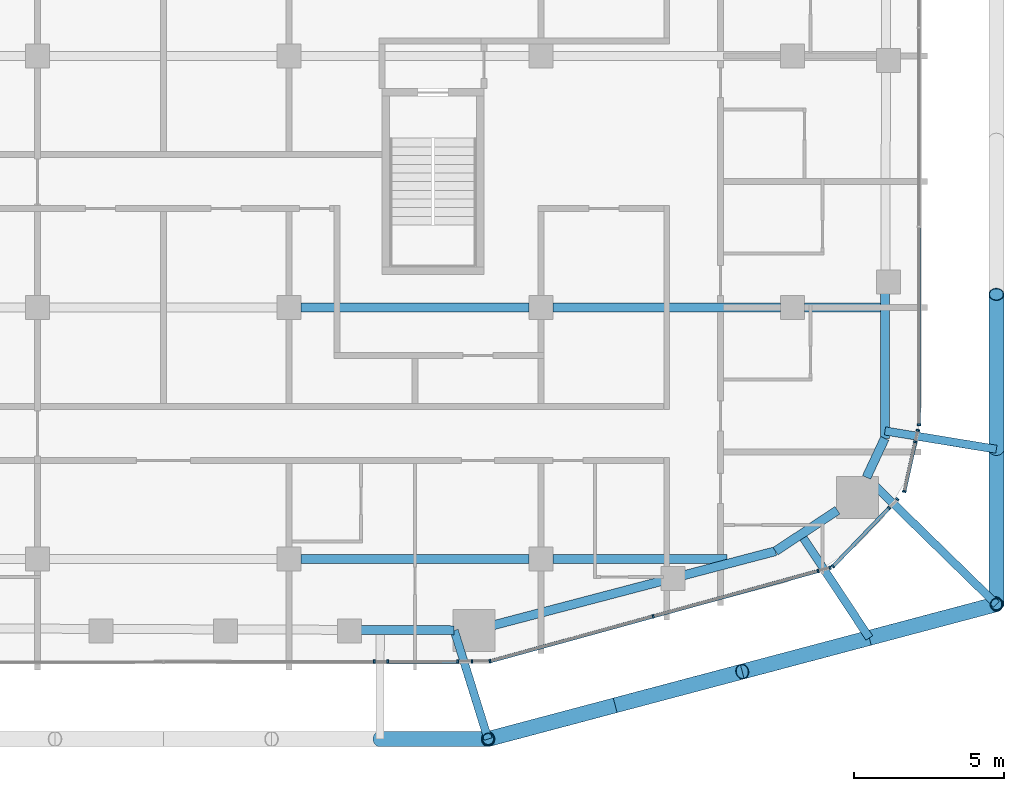
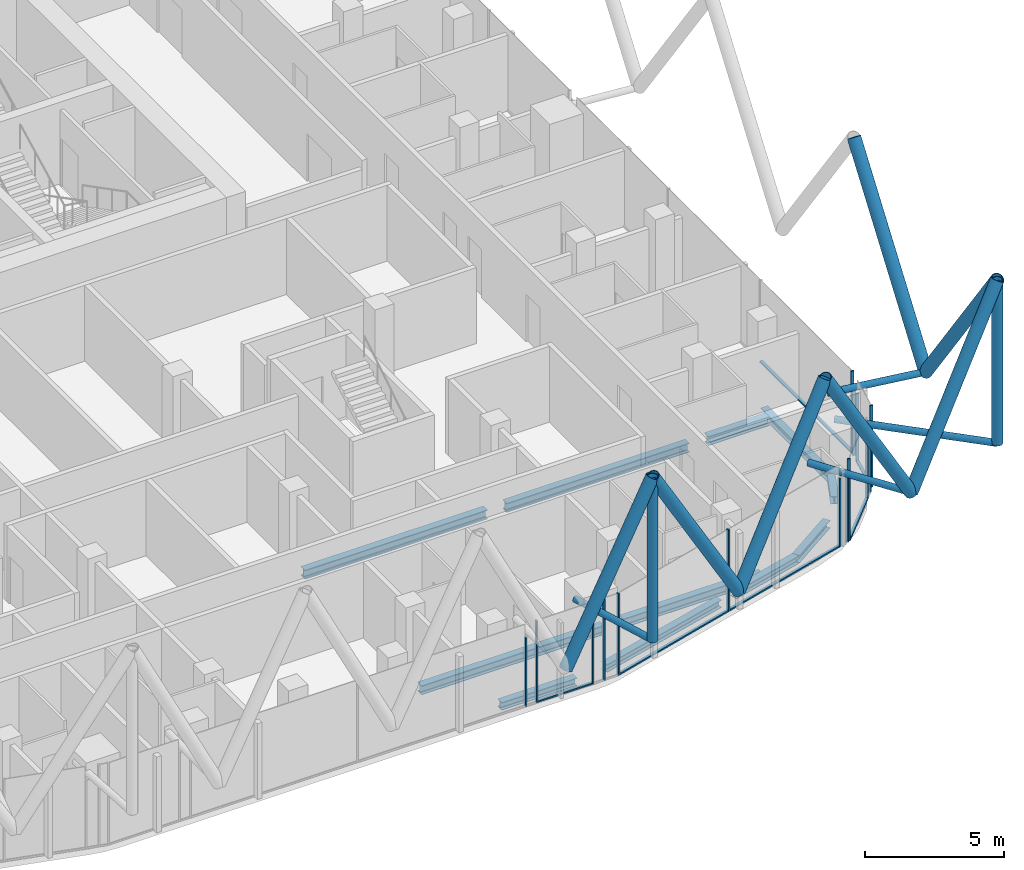
# One storey, part 6 of 31: 34 members, 11 beams, 11 elements without a shape of their own.
"""IFC4 building model written with IfcOpenShell, lengths in metres."""

from ifc_helpers import new_model, si_unit, direction, frame, origin, origin_2d, place, context, subcontext, project, spatial, rectangle, hollow_circle, i_section, extrude, material, layer, layer_set, material_profile, profile_set, type_object, element, aggregate, save


model = new_model("IFC4")

# Units and contexts
model_context = context("Model", 3, precision=1e-05, world=origin(), true_north=direction((0.0, 1.0)))
body_context = subcontext(model_context, "Body", "Model", "MODEL_VIEW")
ifc_project = project(units=[si_unit("LENGTHUNIT", "METRE"), si_unit("AREAUNIT", "SQUARE_METRE"), si_unit("VOLUMEUNIT", "CUBIC_METRE"), si_unit("PLANEANGLEUNIT", "RADIAN"), si_unit("MASSUNIT", "GRAM", prefix="KILO")], contexts=[model_context])

# Site, building, storey
site_placement = place(None, origin())
site = spatial("IfcSite", under=ifc_project, at=site_placement, CompositionType="ELEMENT")
building_placement = place(site_placement, origin())
building = spatial("IfcBuilding", under=site, at=building_placement, Name="Marenta Gate Hotel Tower", CompositionType="ELEMENT")
storey_placement = place(building_placement, frame((0.0, 0.0, 191.300048828125)))
storey = spatial("IfcBuildingStorey", under=building, at=storey_placement, Name="L43", CompositionType="ELEMENT", Elevation=191.300048828125)

# Members
ifc_material_1 = material(Name="Steel S355J2W", Category="steel")
ifc_material_profile_1 = material_profile(ifc_material_1, hollow_circle(Radius=0.203125, WallThickness=0.02490234375, at=origin_2d()), Name="CHS 406.4x25")
ifc_profile_set_1 = profile_set([ifc_material_profile_1], Name="Steel S355J2W")
member_type_1 = type_object("IfcMemberType", Name="Diagrid corner post Z3 CHS 406.4x25", PredefinedType="POST", material=ifc_profile_set_1)
for number, where, z_axis, x_axis, name in (
    (1, (27.800048828125, -26.7001953125, 3.139892578125), (0.0, 0.0, 1.0), (1.0, 0.0, 0.0), "L43-DR-2"),
    (2, (10.839111328125, -31.199951171875, 3.139892578125), (0.0, 0.0, 1.0), (1.0, 0.0, 0.0), "L43-DR-3"),
):
    element("IfcMember", number, at=place(storey_placement, frame(where, z_axis=z_axis, x_axis=x_axis)), inside=storey, type_object=member_type_1, Name=name, PredefinedType="POST", context=body_context, shape_type="SweptSolid", body=[
        extrude(hollow_circle(Radius=0.203125, WallThickness=0.02490234375, at=origin_2d()), origin(), (0.0, 0.0, 1.0), 7.199951171875),
    ])
ifc_material_2 = material(Name="Steel S355J2W", Category="steel")
ifc_material_profile_2 = material_profile(ifc_material_2, hollow_circle(Radius=0.25390625, WallThickness=0.02490234375, at=origin_2d()), Name="CHS 508x25")
ifc_profile_set_2 = profile_set([ifc_material_profile_2], Name="Steel S355J2W")
member_type_2 = type_object("IfcMemberType", Name="Diagrid diagonal Z3 CHS 508x25", PredefinedType="BRACE", material=ifc_profile_set_2)
member_1_placement = place(storey_placement, frame((27.800048828125, -21.530029296875, 3.139892578125), z_axis=(0.0, 0.583260841117, 0.812284919975), x_axis=(-1.0, 0.0, 0.0)))
element("IfcMember", 3, at=member_1_placement, inside=storey, type_object=member_type_2, Name="L43-DG-9", PredefinedType="BRACE", context=body_context, shape_type="SweptSolid", body=[
    extrude(hollow_circle(Radius=0.25390625, WallThickness=0.02490234375, at=origin_2d()), origin(), (0.0, 0.0, 1.0), 8.86376953125),
])
member_2_placement = place(storey_placement, frame((27.800048828125, -21.530029296875, 3.139892578125), z_axis=(0.0, -0.583279014058, 0.812271870595), x_axis=(1.0, 0.0, 0.0)))
element("IfcMember", 4, at=member_2_placement, inside=storey, type_object=member_type_2, Name="L43-DG-10", PredefinedType="BRACE", context=body_context, shape_type="SweptSolid", body=[
    extrude(hollow_circle(Radius=0.25390625, WallThickness=0.02490234375, at=origin_2d()), origin(), (0.0, 0.0, 1.0), 8.864013671875),
])
for number, where, z_axis, x_axis, name in (
    (5, (23.559814453125, -27.8251953125, 3.139892578125), (0.502924018666, 0.133433548941, 0.853968921838), (-0.256443187528, 0.96655930577, 0.0), "L43-DG-11"),
    (6, (23.559814453125, -27.8251953125, 3.139892578125), (-0.502924018666, -0.133433548941, 0.853968921838), (0.256443187528, -0.96655930577, 0.0), "L43-DG-12"),
    (7, (15.079345703125, -30.074951171875, 3.139892578125), (0.502925961678, 0.133405107407, 0.853972221087), (-0.256391194513, 0.966573098827, 0.0), "L43-DG-13"),
    (8, (15.079345703125, -30.074951171875, 3.139892578125), (-0.502924018666, -0.133433548941, 0.853968921838), (0.256443187528, -0.96655930577, 0.0), "L43-DG-14"),
):
    element("IfcMember", number, at=place(storey_placement, frame(where, z_axis=z_axis, x_axis=x_axis)), inside=storey, type_object=member_type_2, Name=name, PredefinedType="BRACE", context=body_context, shape_type="SweptSolid", body=[
        extrude(hollow_circle(Radius=0.25390625, WallThickness=0.02490234375, at=origin_2d()), origin(), (0.0, 0.0, 1.0), 8.43115234375),
    ])
member_3_placement = place(storey_placement, frame((7.22607421875, -31.199951171875, 3.139892578125), z_axis=(0.44851025603, 0.0, 0.893777685018), x_axis=(0.0, 1.0, 0.0)))
element("IfcMember", 9, at=member_3_placement, inside=storey, type_object=member_type_2, Name="L43-DG-15", PredefinedType="BRACE", context=body_context, shape_type="SweptSolid", body=[
    extrude(hollow_circle(Radius=0.25390625, WallThickness=0.02490234375, at=origin_2d()), origin(), (0.0, 0.0, 1.0), 8.0556640625),
])

# Beams
ifc_material_3 = material(Name="Steel S355", Category="steel")
ifc_material_profile_3 = material_profile(ifc_material_3, i_section(OverallWidth=0.300048828125, OverallDepth=0.340087890625, WebThickness=0.011962890625, FlangeThickness=0.021484375, FilletRadius=0.027099609375, at=origin_2d()), Name="HEB 340")
ifc_profile_set_3 = profile_set([ifc_material_profile_3], Name="Steel S355")
beam_type_1 = type_object("IfcBeamType", Name="Edge beam HEB 340", PredefinedType="SPANDREL", material=ifc_profile_set_3)
beam_1_placement = place(storey_placement, frame((24.09130859375, -16.31201171875, -0.429931640625), z_axis=(-0.003318732666, -0.999994492992, 0.0), x_axis=(0.999994492992, -0.003318732666, 0.0)))
element("IfcBeam", 10, at=beam_1_placement, inside=storey, type_object=beam_type_1, Name="L43-EB-27", PredefinedType="SPANDREL", context=body_context, shape_type="SweptSolid", body=[
    extrude(i_section(OverallWidth=0.300048828125, OverallDepth=0.340087890625, WebThickness=0.011962890625, FlangeThickness=0.021484375, FilletRadius=0.027099609375, at=origin_2d()), origin(), (0.0, 0.0, 1.0), 4.855224609375),
])
beam_2_placement = place(storey_placement, frame((24.0751953125, -21.167236328125, -0.429931640625), z_axis=(-0.423341112024, -0.905970365338, 0.0), x_axis=(0.905970365338, -0.423341112024, 0.0)))
element("IfcBeam", 11, at=beam_2_placement, inside=storey, type_object=beam_type_1, Name="L43-EB-28", PredefinedType="SPANDREL", context=body_context, shape_type="SweptSolid", body=[
    extrude(i_section(OverallWidth=0.300048828125, OverallDepth=0.340087890625, WebThickness=0.011962890625, FlangeThickness=0.021484375, FilletRadius=0.027099609375, at=origin_2d()), origin(), (0.0, 0.0, 1.0), 1.437255859375),
])
beam_3_placement = place(storey_placement, frame((22.496337890625, -23.56640625, -0.429931640625), z_axis=(-0.834528740585, -0.550964410047, 0.0), x_axis=(0.550964410047, -0.834528740585, 0.0)))
element("IfcBeam", 12, at=beam_3_placement, inside=storey, type_object=beam_type_1, Name="L43-EB-29", PredefinedType="SPANDREL", context=body_context, shape_type="SweptSolid", body=[
    extrude(i_section(OverallWidth=0.300048828125, OverallDepth=0.340087890625, WebThickness=0.011962890625, FlangeThickness=0.021484375, FilletRadius=0.027099609375, at=origin_2d()), origin(), (0.0, 0.0, 1.0), 2.47705078125),
])
beam_4_placement = place(storey_placement, frame((20.42919921875, -24.93115234375, -0.429931640625), z_axis=(-0.967235227858, -0.253881889845, 0.0), x_axis=(0.253881889845, -0.967235227858, 0.0)))
element("IfcBeam", 13, at=beam_4_placement, inside=storey, type_object=beam_type_1, Name="L43-EB-30", PredefinedType="SPANDREL", context=body_context, shape_type="SweptSolid", body=[
    extrude(i_section(OverallWidth=0.300048828125, OverallDepth=0.340087890625, WebThickness=0.011962890625, FlangeThickness=0.021484375, FilletRadius=0.027099609375, at=origin_2d()), origin(), (0.0, 0.0, 1.0), 3.164794921875),
])
beam_5_placement = place(storey_placement, frame((16.6455078125, -25.92431640625, -0.429931640625), z_axis=(-0.96723496524, -0.253882890359, 0.0), x_axis=(0.253882890359, -0.96723496524, 0.0)))
element("IfcBeam", 14, at=beam_5_placement, inside=storey, type_object=beam_type_1, Name="L43-EB-31", PredefinedType="SPANDREL", context=body_context, shape_type="SweptSolid", body=[
    extrude(i_section(OverallWidth=0.300048828125, OverallDepth=0.340087890625, WebThickness=0.011962890625, FlangeThickness=0.021484375, FilletRadius=0.027099609375, at=origin_2d()), origin(), (0.0, 0.0, 1.0), 5.80810546875),
])
beam_6_placement = place(storey_placement, frame((9.706298828125, -27.570068359375, -0.429931640625), z_axis=(-0.999992678531, 0.003826602206, 0.0), x_axis=(-0.003826602206, -0.999992678531, 0.0)))
element("IfcBeam", 15, at=beam_6_placement, inside=storey, type_object=beam_type_1, Name="L43-EB-32", PredefinedType="SPANDREL", context=body_context, shape_type="SweptSolid", body=[
    extrude(i_section(OverallWidth=0.300048828125, OverallDepth=0.340087890625, WebThickness=0.011962890625, FlangeThickness=0.021484375, FilletRadius=0.027099609375, at=origin_2d()), origin(), (0.0, 0.0, 1.0), 3.126220703125),
])

# Members
ifc_material_4 = material(Name="Steel S355J2W", Category="steel")
ifc_material_profile_4 = material_profile(ifc_material_4, hollow_circle(Radius=0.136474609375, WallThickness=0.012451171875, at=origin_2d()), Name="CHS 273x12.5")
ifc_profile_set_4 = profile_set([ifc_material_profile_4], Name="Steel S355J2W")
member_type_3 = type_object("IfcMemberType", Name="Floor tie CHS 273x12.5", PredefinedType="STRUT", material=ifc_profile_set_4)
member_4_placement = place(storey_placement, frame((27.800048828125, -21.530029296875, 3.139892578125), z_axis=(-0.986729812745, 0.162370799838, 0.0), x_axis=(-0.162370799838, -0.986729812745, 0.0)))
element("IfcMember", 16, at=member_4_placement, inside=storey, type_object=member_type_3, Name="L43-DR-10", PredefinedType="STRUT", context=body_context, shape_type="SweptSolid", body=[
    extrude(hollow_circle(Radius=0.136474609375, WallThickness=0.012451171875, at=origin_2d()), origin(), (0.0, 0.0, 1.0), 3.76806640625),
])
member_5_placement = place(storey_placement, frame((27.800048828125, -26.7001953125, 3.139892578125), z_axis=(-0.715510328178, 0.698602154499, 0.0), x_axis=(-0.698602154499, -0.715510328178, 0.0)))
element("IfcMember", 17, at=member_5_placement, inside=storey, type_object=member_type_3, Name="L43-DR-11", PredefinedType="STRUT", context=body_context, shape_type="SweptSolid", body=[
    extrude(hollow_circle(Radius=0.136474609375, WallThickness=0.012451171875, at=origin_2d()), origin(), (0.0, 0.0, 1.0), 6.050048828125),
])
member_6_placement = place(storey_placement, frame((23.559814453125, -27.8251953125, 3.139892578125), z_axis=(-0.550987823012, 0.834513282634, 0.0), x_axis=(-0.834513282634, -0.550987823012, 0.0)))
element("IfcMember", 18, at=member_6_placement, inside=storey, type_object=member_type_3, Name="L43-DR-12", PredefinedType="STRUT", context=body_context, shape_type="SweptSolid", body=[
    extrude(hollow_circle(Radius=0.136474609375, WallThickness=0.012451171875, at=origin_2d()), origin(), (0.0, 0.0, 1.0), 4.134033203125),
])
member_7_placement = place(storey_placement, frame((10.839111328125, -31.199951171875, 3.139892578125), z_axis=(-0.297897789013, 0.954597772521, 0.0), x_axis=(-0.954597772521, -0.297897789013, 0.0)))
element("IfcMember", 19, at=member_7_placement, inside=storey, type_object=member_type_3, Name="L43-DR-13", PredefinedType="STRUT", context=body_context, shape_type="SweptSolid", body=[
    extrude(hollow_circle(Radius=0.136474609375, WallThickness=0.012451171875, at=origin_2d()), origin(), (0.0, 0.0, 1.0), 3.796142578125),
])

# Beams
ifc_material_5 = material(Name="Steel S355", Category="steel")
ifc_material_profile_5 = material_profile(ifc_material_5, i_section(OverallWidth=0.300048828125, OverallDepth=0.39990234375, WebThickness=0.013427734375, FlangeThickness=0.02392578125, FilletRadius=0.027099609375, at=origin_2d()), Name="HEB 400")
ifc_profile_set_5 = profile_set([ifc_material_profile_5], Name="Steel S355")
beam_type_2 = type_object("IfcBeamType", Name="Girder HEB 400", PredefinedType="BEAM", material=ifc_profile_set_5)
beam_7_placement = place(storey_placement, frame((4.60009765625, -25.199951171875, -0.4599609375), z_axis=(1.0, 0.0, 0.0), x_axis=(0.0, 1.0, 0.0)))
element("IfcBeam", 20, at=beam_7_placement, inside=storey, type_object=beam_type_2, Name="L43-GD-4", PredefinedType="BEAM", context=body_context, shape_type="SweptSolid", body=[
    extrude(i_section(OverallWidth=0.300048828125, OverallDepth=0.39990234375, WebThickness=0.013427734375, FlangeThickness=0.02392578125, FilletRadius=0.027099609375, at=origin_2d()), origin(), (0.0, 0.0, 1.0), 7.599853515625),
])
beam_8_placement = place(storey_placement, frame((13.0, -25.199951171875, -0.4599609375), z_axis=(1.0, 0.0, 0.0), x_axis=(0.0, 1.0, 0.0)))
element("IfcBeam", 21, at=beam_8_placement, inside=storey, type_object=beam_type_2, Name="L43-GD-5", PredefinedType="BEAM", context=body_context, shape_type="SweptSolid", body=[
    extrude(i_section(OverallWidth=0.300048828125, OverallDepth=0.39990234375, WebThickness=0.013427734375, FlangeThickness=0.02392578125, FilletRadius=0.027099609375, at=origin_2d()), origin(), (0.0, 0.0, 1.0), 5.81396484375),
])
beam_9_placement = place(storey_placement, frame((4.60009765625, -16.800048828125, -0.4599609375), z_axis=(1.0, 0.0, 0.0), x_axis=(0.0, 1.0, 0.0)))
element("IfcBeam", 22, at=beam_9_placement, inside=storey, type_object=beam_type_2, Name="L43-GD-10", PredefinedType="BEAM", context=body_context, shape_type="SweptSolid", body=[
    extrude(i_section(OverallWidth=0.300048828125, OverallDepth=0.39990234375, WebThickness=0.013427734375, FlangeThickness=0.02392578125, FilletRadius=0.027099609375, at=origin_2d()), origin(), (0.0, 0.0, 1.0), 7.599853515625),
])
beam_10_placement = place(storey_placement, frame((13.0, -16.800048828125, -0.4599609375), z_axis=(1.0, 0.0, 0.0), x_axis=(0.0, 1.0, 0.0)))
element("IfcBeam", 23, at=beam_10_placement, inside=storey, type_object=beam_type_2, Name="L43-GD-11", PredefinedType="BEAM", context=body_context, shape_type="SweptSolid", body=[
    extrude(i_section(OverallWidth=0.300048828125, OverallDepth=0.39990234375, WebThickness=0.013427734375, FlangeThickness=0.02392578125, FilletRadius=0.027099609375, at=origin_2d()), origin(), (0.0, 0.0, 1.0), 7.60009765625),
])
beam_11_placement = place(storey_placement, frame((21.39990234375, -16.800048828125, -0.4599609375), z_axis=(1.0, 0.0, 0.0), x_axis=(0.0, 1.0, 0.0)))
element("IfcBeam", 24, at=beam_11_placement, inside=storey, type_object=beam_type_2, Name="L43-GD-12", PredefinedType="BEAM", context=body_context, shape_type="SweptSolid", body=[
    extrude(i_section(OverallWidth=0.300048828125, OverallDepth=0.39990234375, WebThickness=0.013427734375, FlangeThickness=0.02392578125, FilletRadius=0.027099609375, at=origin_2d()), origin(), (0.0, 0.0, 1.0), 2.539794921875),
])

# Curtain wall, member
ifc_material_6 = material(Name="Tinted insulated glass in bronze anodised frame", Category="glass")
ifc_layer = layer(ifc_material_6, 0.1201171875)
ifc_layer_set = layer_set([ifc_layer], Name="Tinted insulated glass in bronze anodised frame")
curtain_wall_type = type_object("IfcCurtainWallType", Name="Tower unitised curtain wall CW1", PredefinedType="NOTDEFINED", material=ifc_layer_set)
curtain_wall_1_placement = place(storey_placement, origin())
curtain_wall_1 = element("IfcCurtainWall", 25, at=curtain_wall_1_placement, inside=storey, type_object=curtain_wall_type, Name="CW1 run G22", PredefinedType="NOTDEFINED")
ifc_material_7 = material(Name="Bronze anodised aluminium", Category="aluminium")
ifc_material_profile_6 = material_profile(ifc_material_7, rectangle(XDim=0.1201171875, YDim=0.06005859375, at=origin_2d()), Name="Mullion CW1 60x120 bronze anodised aluminium")
ifc_profile_set_6 = profile_set([ifc_material_profile_6], Name="Bronze anodised aluminium")
member_type_4 = type_object("IfcMemberType", Name="Mullion CW1 60x120 bronze anodised aluminium", PredefinedType="MULLION", material=ifc_profile_set_6)
member_8_placement = place(storey_placement, frame((7.039306640625, -28.618896484375, 0.0), z_axis=(0.0, 0.0, 1.0), x_axis=(-0.001765611905, 0.999998441306, 0.0)))
member_8 = element("IfcMember", 26, at=member_8_placement, type_object=member_type_4, Name="CW1 mullion 1", PredefinedType="MULLION", context=body_context, shape_type="SweptSolid", body=[
    extrude(rectangle(XDim=0.1201171875, YDim=0.06005859375, at=origin_2d()), origin(), (0.0, 0.0, 1.0), 3.00048828125),
])
aggregate(curtain_wall_1, [member_8])

curtain_wall_2_placement = place(storey_placement, origin())
curtain_wall_2 = element("IfcCurtainWall", 27, at=curtain_wall_2_placement, inside=storey, type_object=curtain_wall_type, Name="CW1 run G23", PredefinedType="NOTDEFINED")
member_9_placement = place(storey_placement, frame((7.492431640625, -28.6181640625, 0.0), z_axis=(0.0, 0.0, 1.0), x_axis=(-0.001629220957, 0.999998672819, 0.0)))
member_9 = element("IfcMember", 28, at=member_9_placement, type_object=member_type_4, Name="CW1 mullion 1", PredefinedType="MULLION", context=body_context, shape_type="SweptSolid", body=[
    extrude(rectangle(XDim=0.1201171875, YDim=0.06005859375, at=origin_2d()), origin(), (0.0, 0.0, 1.0), 3.599853515625),
])

curtain_wall_3_placement = place(storey_placement, origin())
curtain_wall_3 = element("IfcCurtainWall", 29, at=curtain_wall_3_placement, inside=storey, type_object=curtain_wall_type, Name="CW1 run G24", PredefinedType="NOTDEFINED")
member_10_placement = place(storey_placement, frame((9.824951171875, -28.6142578125, 0.0), z_axis=(0.0, 0.0, 1.0), x_axis=(-0.001686693784, 0.999998577531, 0.0)))
member_10 = element("IfcMember", 30, at=member_10_placement, type_object=member_type_4, Name="CW1 mullion 1", PredefinedType="MULLION", context=body_context, shape_type="SweptSolid", body=[
    extrude(rectangle(XDim=0.1201171875, YDim=0.06005859375, at=origin_2d()), origin(), (0.0, 0.0, 1.0), 3.00048828125),
])
aggregate(curtain_wall_3, [member_10])

curtain_wall_4_placement = place(storey_placement, origin())
curtain_wall_4 = element("IfcCurtainWall", 31, at=curtain_wall_4_placement, inside=storey, type_object=curtain_wall_type, Name="CW1 run G25", PredefinedType="NOTDEFINED")
member_11_placement = place(storey_placement, frame((10.29931640625, -28.613525390625, 0.0), z_axis=(0.0, 0.0, 1.0), x_axis=(-0.001654257461, 0.999998631715, 0.0)))
member_11 = element("IfcMember", 32, at=member_11_placement, type_object=member_type_4, Name="CW1 mullion 1", PredefinedType="MULLION", context=body_context, shape_type="SweptSolid", body=[
    extrude(rectangle(XDim=0.1201171875, YDim=0.06005859375, at=origin_2d()), origin(), (0.0, 0.0, 1.0), 3.599853515625),
])
aggregate(curtain_wall_4, [member_11])

# Curtain wall, members
curtain_wall_5_placement = place(storey_placement, origin())
curtain_wall_5 = element("IfcCurtainWall", 33, at=curtain_wall_5_placement, inside=storey, type_object=curtain_wall_type, Name="CW1 run G26", PredefinedType="NOTDEFINED")
member_12_placement = place(storey_placement, frame((10.902587890625, -28.6044921875, 0.0), z_axis=(0.0, 0.0, 1.0), x_axis=(-0.265293853742, 0.964167605329, 0.0)))
member_12 = element("IfcMember", 34, at=member_12_placement, type_object=member_type_4, Name="CW1 mullion 1", PredefinedType="MULLION", context=body_context, shape_type="SweptSolid", body=[
    extrude(rectangle(XDim=0.1201171875, YDim=0.06005859375, at=origin_2d()), origin(), (0.0, 0.0, 1.0), 3.599853515625),
])
member_13_placement = place(storey_placement, frame((16.3466796875, -27.106689453125, 0.0), z_axis=(0.0, 0.0, 1.0), x_axis=(-0.265293853742, 0.964167605329, 0.0)))
member_13 = element("IfcMember", 35, at=member_13_placement, type_object=member_type_4, Name="CW1 mullion 2", PredefinedType="MULLION", context=body_context, shape_type="SweptSolid", body=[
    extrude(rectangle(XDim=0.1201171875, YDim=0.06005859375, at=origin_2d()), origin(), (0.0, 0.0, 1.0), 3.599853515625),
])

curtain_wall_6_placement = place(storey_placement, origin())
curtain_wall_6 = element("IfcCurtainWall", 36, at=curtain_wall_6_placement, inside=storey, type_object=curtain_wall_type, Name="CW1 run G27", PredefinedType="NOTDEFINED")
member_14_placement = place(storey_placement, frame((21.8486328125, -25.5927734375, 0.0), z_axis=(0.0, 0.0, 1.0), x_axis=(-0.265283308776, 0.964170506749, 0.0)))
member_14 = element("IfcMember", 37, at=member_14_placement, type_object=member_type_4, Name="CW1 mullion 1", PredefinedType="MULLION", context=body_context, shape_type="SweptSolid", body=[
    extrude(rectangle(XDim=0.1201171875, YDim=0.06005859375, at=origin_2d()), origin(), (0.0, 0.0, 1.0), 3.00048828125),
])
member_15_placement = place(storey_placement, frame((22.25, -25.482177734375, 0.0), z_axis=(0.0, 0.0, 1.0), x_axis=(-0.265283308776, 0.964170506749, 0.0)))
member_15 = element("IfcMember", 38, at=member_15_placement, type_object=member_type_4, Name="CW1 mullion 2", PredefinedType="MULLION", context=body_context, shape_type="SweptSolid", body=[
    extrude(rectangle(XDim=0.1201171875, YDim=0.06005859375, at=origin_2d()), origin(), (0.0, 0.0, 1.0), 3.00048828125),
])
aggregate(curtain_wall_6, [member_14, member_15])

# Curtain wall, member
curtain_wall_7_placement = place(storey_placement, origin())
curtain_wall_7 = element("IfcCurtainWall", 39, at=curtain_wall_7_placement, inside=storey, type_object=curtain_wall_type, Name="CW1 run G28", PredefinedType="NOTDEFINED")
member_16_placement = place(storey_placement, frame((22.345458984375, -25.43994140625, 0.0), z_axis=(0.0, 0.0, 1.0), x_axis=(-0.721374796599, 0.692544874237, 0.0)))
member_16 = element("IfcMember", 40, at=member_16_placement, type_object=member_type_4, Name="CW1 mullion 1", PredefinedType="MULLION", context=body_context, shape_type="SweptSolid", body=[
    extrude(rectangle(XDim=0.1201171875, YDim=0.06005859375, at=origin_2d()), origin(), (0.0, 0.0, 1.0), 3.599853515625),
])

# Curtain wall, members
curtain_wall_8_placement = place(storey_placement, origin())
curtain_wall_8 = element("IfcCurtainWall", 41, at=curtain_wall_8_placement, inside=storey, type_object=curtain_wall_type, Name="CW1 run G29", PredefinedType="NOTDEFINED")
member_17_placement = place(storey_placement, frame((24.22412109375, -23.4833984375, 0.0), z_axis=(0.0, 0.0, 1.0), x_axis=(-0.721418199888, 0.692499661278, 0.0)))
member_17 = element("IfcMember", 42, at=member_17_placement, type_object=member_type_4, Name="CW1 mullion 1", PredefinedType="MULLION", context=body_context, shape_type="SweptSolid", body=[
    extrude(rectangle(XDim=0.1201171875, YDim=0.06005859375, at=origin_2d()), origin(), (0.0, 0.0, 1.0), 3.00048828125),
])
member_18_placement = place(storey_placement, frame((24.496337890625, -23.199951171875, 0.0), z_axis=(0.0, 0.0, 1.0), x_axis=(-0.721418199888, 0.692499661278, 0.0)))
member_18 = element("IfcMember", 43, at=member_18_placement, type_object=member_type_4, Name="CW1 mullion 2", PredefinedType="MULLION", context=body_context, shape_type="SweptSolid", body=[
    extrude(rectangle(XDim=0.1201171875, YDim=0.06005859375, at=origin_2d()), origin(), (0.0, 0.0, 1.0), 3.00048828125),
])
aggregate(curtain_wall_8, [member_17, member_18])

# Curtain wall, member
curtain_wall_9_placement = place(storey_placement, origin())
curtain_wall_9 = element("IfcCurtainWall", 44, at=curtain_wall_9_placement, inside=storey, type_object=curtain_wall_type, Name="CW1 run G30", PredefinedType="NOTDEFINED")
member_19_placement = place(storey_placement, frame((24.726806640625, -22.937255859375, 0.0), z_axis=(0.0, 0.0, 1.0), x_axis=(-0.97621206153, 0.21681792113, 0.0)))
member_19 = element("IfcMember", 45, at=member_19_placement, type_object=member_type_4, Name="CW1 mullion 1", PredefinedType="MULLION", context=body_context, shape_type="SweptSolid", body=[
    extrude(rectangle(XDim=0.1201171875, YDim=0.06005859375, at=origin_2d()), origin(), (0.0, 0.0, 1.0), 3.599853515625),
])

# Curtain wall, members
curtain_wall_10_placement = place(storey_placement, origin())
curtain_wall_10 = element("IfcCurtainWall", 46, at=curtain_wall_10_placement, inside=storey, type_object=curtain_wall_type, Name="CW1 run G31", PredefinedType="NOTDEFINED")
member_20_placement = place(storey_placement, frame((25.093994140625, -21.283935546875, 0.0), z_axis=(0.0, 0.0, 1.0), x_axis=(-0.976197431319, 0.216883782439, 0.0)))
member_20 = element("IfcMember", 47, at=member_20_placement, type_object=member_type_4, Name="CW1 mullion 1", PredefinedType="MULLION", context=body_context, shape_type="SweptSolid", body=[
    extrude(rectangle(XDim=0.1201171875, YDim=0.06005859375, at=origin_2d()), origin(), (0.0, 0.0, 1.0), 3.00048828125),
])
member_21_placement = place(storey_placement, frame((25.179443359375, -20.899658203125, 0.0), z_axis=(0.0, 0.0, 1.0), x_axis=(-0.976197431319, 0.216883782439, 0.0)))
member_21 = element("IfcMember", 48, at=member_21_placement, type_object=member_type_4, Name="CW1 mullion 2", PredefinedType="MULLION", context=body_context, shape_type="SweptSolid", body=[
    extrude(rectangle(XDim=0.1201171875, YDim=0.06005859375, at=origin_2d()), origin(), (0.0, 0.0, 1.0), 3.00048828125),
])
aggregate(curtain_wall_10, [member_20, member_21])

# Curtain wall, member
curtain_wall_11_placement = place(storey_placement, origin())
curtain_wall_11 = element("IfcCurtainWall", 49, at=curtain_wall_11_placement, inside=storey, type_object=curtain_wall_type, Name="CW1 run G32", PredefinedType="NOTDEFINED")
member_22_placement = place(storey_placement, frame((25.214111328125, -20.7138671875, 0.0), z_axis=(0.0, 0.0, 1.0), x_axis=(-1.0, 0.0, 0.0)))
member_22 = element("IfcMember", 50, at=member_22_placement, type_object=member_type_4, Name="CW1 mullion 1", PredefinedType="MULLION", context=body_context, shape_type="SweptSolid", body=[
    extrude(rectangle(XDim=0.1201171875, YDim=0.06005859375, at=origin_2d()), origin(), (0.0, 0.0, 1.0), 3.599853515625),
])

# Member
ifc_material_8 = material(Name="Bronze anodised aluminium", Category="aluminium")
ifc_material_profile_7 = material_profile(ifc_material_8, rectangle(XDim=0.1201171875, YDim=0.06005859375, at=origin_2d()), Name="Transom CW1 60x120 bronze anodised aluminium")
ifc_profile_set_7 = profile_set([ifc_material_profile_7], Name="Bronze anodised aluminium")
member_type_5 = type_object("IfcMemberType", Name="Transom CW1 60x120 bronze anodised aluminium", PredefinedType="USERDEFINED", material=ifc_profile_set_7)
member_23_placement = place(storey_placement, frame((7.5224609375, -28.617919921875, 0.030029296875), z_axis=(0.999998701509, 0.001611514882, 0.0), x_axis=(-0.001611514882, 0.999998701509, 0.0)))
member_23 = element("IfcMember", 51, at=member_23_placement, type_object=member_type_5, Name="CW1 transom 1.1", ObjectType="TRANSOM", PredefinedType="USERDEFINED", context=body_context, shape_type="SweptSolid", body=[
    extrude(rectangle(XDim=0.1201171875, YDim=0.06005859375, at=origin_2d()), origin(), (0.0, 0.0, 1.0), 2.2724609375),
])

aggregate(curtain_wall_2, [member_9, member_23])

member_24_placement = place(storey_placement, frame((10.931640625, -28.5966796875, 0.030029296875), z_axis=(0.964158168869, 0.265328146648, 0.0), x_axis=(-0.265328146648, 0.964158168869, 0.0)))
member_24 = element("IfcMember", 52, at=member_24_placement, type_object=member_type_5, Name="CW1 transom 1.1", ObjectType="TRANSOM", PredefinedType="USERDEFINED", context=body_context, shape_type="SweptSolid", body=[
    extrude(rectangle(XDim=0.1201171875, YDim=0.06005859375, at=origin_2d()), origin(), (0.0, 0.0, 1.0), 5.586181640625),
])

member_25_placement = place(storey_placement, frame((16.37548828125, -27.0986328125, 0.030029296875), z_axis=(0.964163650311, 0.265308227199, 0.0), x_axis=(-0.265308227199, 0.964163650311, 0.0)))
member_25 = element("IfcMember", 53, at=member_25_placement, type_object=member_type_5, Name="CW1 transom 2.1", ObjectType="TRANSOM", PredefinedType="USERDEFINED", context=body_context, shape_type="SweptSolid", body=[
    extrude(rectangle(XDim=0.1201171875, YDim=0.06005859375, at=origin_2d()), origin(), (0.0, 0.0, 1.0), 5.646484375),
])

aggregate(curtain_wall_5, [member_12, member_13, member_24, member_25])

member_26_placement = place(storey_placement, frame((22.366455078125, -25.41845703125, 0.030029296875), z_axis=(0.692508837001, 0.721409391868, 0.0), x_axis=(-0.721409391868, 0.692508837001, 0.0)))
member_26 = element("IfcMember", 54, at=member_26_placement, type_object=member_type_5, Name="CW1 transom 1.1", ObjectType="TRANSOM", PredefinedType="USERDEFINED", context=body_context, shape_type="SweptSolid", body=[
    extrude(rectangle(XDim=0.1201171875, YDim=0.06005859375, at=origin_2d()), origin(), (0.0, 0.0, 1.0), 2.652587890625),
])

aggregate(curtain_wall_7, [member_16, member_26])

member_27_placement = place(storey_placement, frame((24.7333984375, -22.907958984375, 0.030029296875), z_axis=(0.216708908034, 0.976236267088, 0.0), x_axis=(-0.976236267088, 0.216708908034, 0.0)))
member_27 = element("IfcMember", 55, at=member_27_placement, type_object=member_type_5, Name="CW1 transom 1.1", ObjectType="TRANSOM", PredefinedType="USERDEFINED", context=body_context, shape_type="SweptSolid", body=[
    extrude(rectangle(XDim=0.1201171875, YDim=0.06005859375, at=origin_2d()), origin(), (0.0, 0.0, 1.0), 1.633544921875),
])

aggregate(curtain_wall_9, [member_19, member_27])

member_28_placement = place(storey_placement, frame((25.214111328125, -20.683837890625, 0.030029296875), z_axis=(0.0, 1.0, 0.0), x_axis=(-1.0, 0.0, 0.0)))
member_28 = element("IfcMember", 56, at=member_28_placement, type_object=member_type_5, Name="CW1 transom 1.1", ObjectType="TRANSOM", PredefinedType="USERDEFINED", context=body_context, shape_type="SweptSolid", body=[
    extrude(rectangle(XDim=0.1201171875, YDim=0.06005859375, at=origin_2d()), origin(), (0.0, 0.0, 1.0), 6.55029296875),
])

aggregate(curtain_wall_11, [member_22, member_28])

save(model, "model.ifc")
